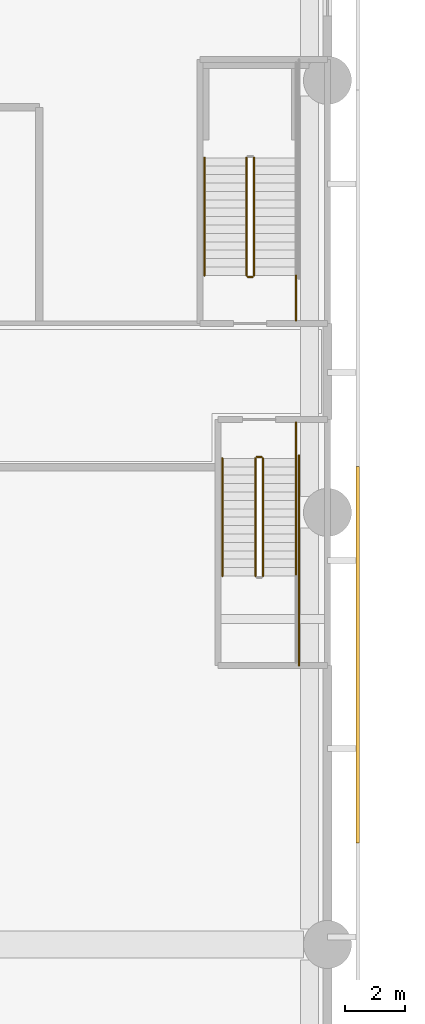
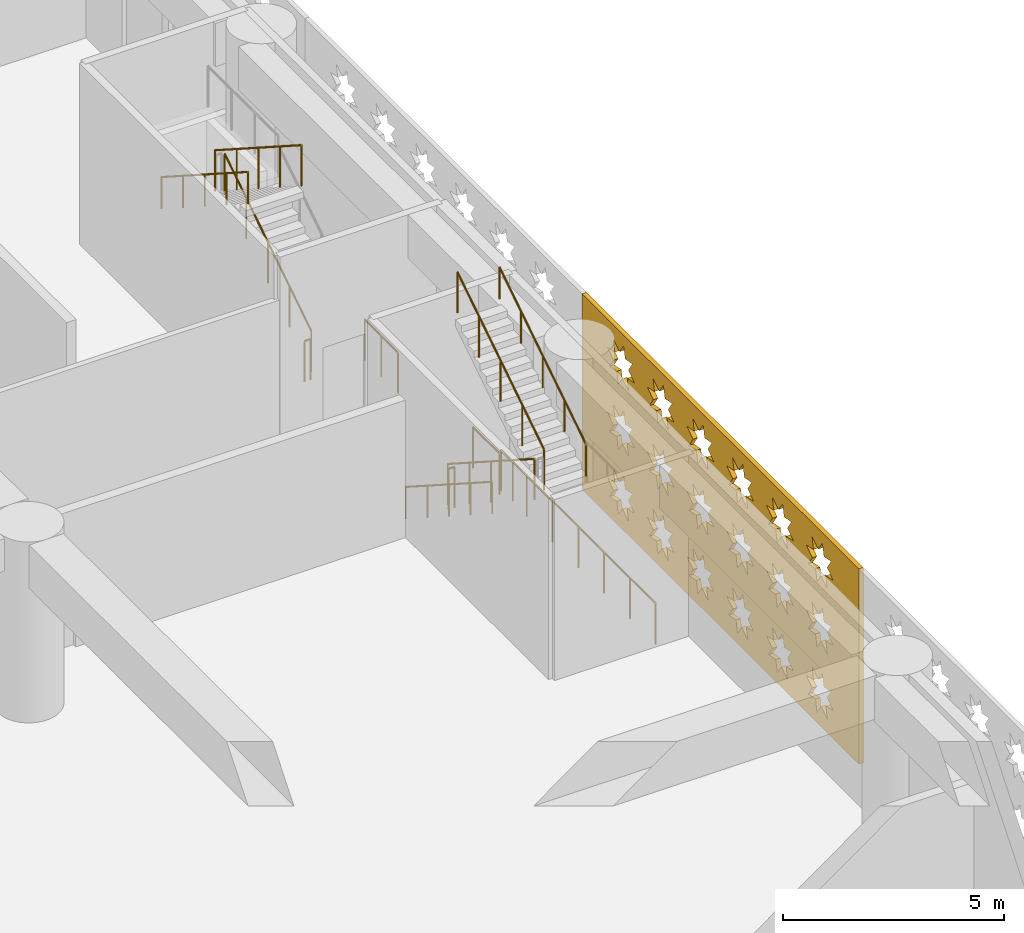
# One storey, part 22 of 30: 12 railings, 1 covering.
"""IFC4 building model written with IfcOpenShell, lengths in metres."""

import ifcopenshell
import ifcopenshell.guid

model = None  # the IFC model being written
_history = None  # IfcOwnerHistory: only IFC2X3 demands one
_inside = {}  # id of a spatial element -> (the spatial element, [elements in it])
_under = {}  # id of a project, library or spatial element -> (it, [spatial elements below it])
_declared = {}  # id of a project -> (the project, [libraries it declares])
_typed = {}  # id of a type object -> (the type object, [elements of that type])
_made_of = {}  # id of a material, layer set ... -> (it, [elements and type objects made of it])


def new_model(schema):
    """Start an empty IFC model of exactly this schema.

    Asked for "IFC4X3", IfcOpenShell would pick the latest addendum, in which some entities
    have other attributes; the version numbers below select the first issue.
    IFC2X3 requires an IfcOwnerHistory on every rooted entity: one is made here for all.
    """
    global model, _history
    if schema == "IFC4X3":
        model = ifcopenshell.file(schema_version=(4, 3, 0, 0))
    else:
        model = ifcopenshell.file(schema=schema)
    _inside.clear()
    _under.clear()
    _declared.clear()
    _typed.clear()
    _made_of.clear()
    _history = None
    if model.schema == "IFC2X3":
        org = make("IfcOrganization", Name="unknown")
        user = make(
            "IfcPersonAndOrganization",
            ThePerson=make("IfcPerson", FamilyName="unknown"),
            TheOrganization=org,
        )
        app = make(
            "IfcApplication",
            ApplicationDeveloper=org,
            Version="unknown",
            ApplicationFullName="unknown",
            ApplicationIdentifier="unknown",
        )
        _history = make(
            "IfcOwnerHistory",
            OwningUser=user,
            OwningApplication=app,
            ChangeAction="ADDED",
            CreationDate=0,
        )
    return model


def make(cls, **values):
    """One entity of the class cls with the attributes given. An attribute that is None is left unset."""
    return model.create_entity(
        cls, **{name: value for name, value in values.items() if value is not None}
    )


def rooted(cls, **values):
    """An entity with a GlobalId (a new one), such as an element, a storey or a relation."""
    return make(cls, GlobalId=ifcopenshell.guid.new(), OwnerHistory=_history, **values)


def si_unit(unit_type, name, prefix=None):
    """IfcSIUnit, for example si_unit("LENGTHUNIT", "METRE", prefix="MILLI")."""
    return make("IfcSIUnit", UnitType=unit_type, Prefix=prefix, Name=name)


def assignment(units):
    """IfcUnitAssignment: the units of a project."""
    return None if units is None else make("IfcUnitAssignment", Units=units)


def point(xyz):
    """IfcCartesianPoint."""
    return None if xyz is None else make("IfcCartesianPoint", Coordinates=xyz)


def direction(xyz):
    """IfcDirection."""
    return None if xyz is None else make("IfcDirection", DirectionRatios=xyz)


def frame(location, z_axis=None, x_axis=None):
    """IfcAxis2Placement3D, a coordinate frame: its origin and axes. An axis left out is left unset."""
    return make(
        "IfcAxis2Placement3D",
        Location=point(location),
        Axis=direction(z_axis),
        RefDirection=direction(x_axis),
    )


def frame_2d(location, x_axis=None):
    """IfcAxis2Placement2D, a coordinate frame in the plane: its origin and x axis."""
    return make(
        "IfcAxis2Placement2D", Location=point(location), RefDirection=direction(x_axis)
    )


def origin():
    """The frame at (0, 0, 0) with its axes left unset."""
    return frame((0.0, 0.0, 0.0))


def origin_2d():
    """The frame at (0, 0) in the plane with its x axis left unset."""
    return frame_2d((0.0, 0.0))


def place(relative_to, where):
    """IfcLocalPlacement: puts the frame where relative to a parent placement (None: the world)."""
    return make(
        "IfcLocalPlacement", PlacementRelTo=relative_to, RelativePlacement=where
    )


def context(
    kind, dimensions, precision=None, world=None, true_north=None, identifier=None
):
    """IfcGeometricRepresentationContext, for example the 3D "Model" context."""
    return make(
        "IfcGeometricRepresentationContext",
        ContextIdentifier=identifier,
        ContextType=kind,
        CoordinateSpaceDimension=dimensions,
        Precision=precision,
        WorldCoordinateSystem=world,
        TrueNorth=true_north,
    )


def subcontext(parent, identifier, kind, view, scale=None):
    """IfcGeometricRepresentationSubContext, for example "Body" below "Model"."""
    return make(
        "IfcGeometricRepresentationSubContext",
        ContextIdentifier=identifier,
        ContextType=kind,
        ParentContext=parent,
        TargetScale=scale,
        TargetView=view,
    )


def project(units=None, contexts=None):
    """IfcProject with its units and contexts."""
    return rooted(
        "IfcProject",
        Name="project",
        RepresentationContexts=contexts,
        UnitsInContext=assignment(units),
    )


def spatial(cls, under=None, at=None, **own):
    """A site, building, storey or space (cls), placed at a placement, below another one or the project."""
    s = rooted(cls, ObjectPlacement=at, **own)
    if under is not None:
        _under.setdefault(under.id(), (under, []))[1].append(s)
    return s


def polyline(points):
    """IfcPolyline through the points."""
    return make("IfcPolyline", Points=[point(p) for p in points])


def profile(cls, at=None, kind="AREA", **sizes):
    """A parametric profile (cls). Its sizes go by their IFC names, for example OverallWidth=200.0."""
    return make(cls, ProfileType=kind, Position=at, **sizes)


def circle(**sizes):
    """IfcCircleProfileDef."""
    return profile("IfcCircleProfileDef", **sizes)


def outline(outer, holes=None, kind="AREA"):
    """IfcArbitraryClosedProfileDef: a profile drawn as a closed curve; with holes, ...WithVoids."""
    if holes is None:
        return make("IfcArbitraryClosedProfileDef", ProfileType=kind, OuterCurve=outer)
    return make(
        "IfcArbitraryProfileDefWithVoids",
        ProfileType=kind,
        OuterCurve=outer,
        InnerCurves=holes,
    )


def extrude(swept, where, along, depth):
    """IfcExtrudedAreaSolid: the profile swept, set in the frame where, extruded along a direction by depth."""
    return make(
        "IfcExtrudedAreaSolid",
        SweptArea=swept,
        Position=where,
        ExtrudedDirection=direction(along),
        Depth=depth,
    )


def shape(context_of_items, identifier, shape_type, items):
    """IfcShapeRepresentation: the items that make up one representation, for example the "Body"."""
    return make(
        "IfcShapeRepresentation",
        ContextOfItems=context_of_items,
        RepresentationIdentifier=identifier,
        RepresentationType=shape_type,
        Items=items,
    )


def material(Name=None, Category=None):
    """IfcMaterial."""
    return make("IfcMaterial", Name=Name, Category=Category)


def layer(
    of_material, thickness, ventilated=None, Name=None, Category=None, Priority=None
):
    """IfcMaterialLayer: one layer of a wall or slab, of a material (None: an air gap)."""
    return make(
        "IfcMaterialLayer",
        Material=of_material,
        LayerThickness=thickness,
        IsVentilated=ventilated,
        Name=Name,
        Category=Category,
        Priority=Priority,
    )


def layer_set(layers, Name=None):
    """IfcMaterialLayerSet."""
    return make("IfcMaterialLayerSet", MaterialLayers=layers, LayerSetName=Name)


def made_of(thing, what):
    """Note that an element or type object is made of a material, layer set ...; save() writes the relation."""
    if what is not None:
        _made_of.setdefault(what.id(), (what, []))[1].append(thing)
    return thing


def type_object(cls, material=None, **own):
    """A type object (cls), such as IfcWallType, which elements share."""
    return made_of(rooted(cls, **own), material)


def element(
    cls,
    number,
    at=None,
    inside=None,
    cuts=None,
    type_object=None,
    material=None,
    context=None,
    identifier="Body",
    shape_type=None,
    held_by="IfcProductDefinitionShape",
    body=None,
    shapes=None,
    **own,
):
    """One element of the class cls, such as IfcWall. Its Tag is "e" and its number.

    at: its placement. inside: the storey or other place that contains it. cuts: it is an
    opening in that element (IfcRelVoidsElement). A single representation is given by context,
    identifier, shape_type and body (its items); several are given by shapes. held_by: the class
    of the entity that holds the representations. save() writes the other relations.
    """
    e = rooted(cls, Tag="e%d" % number, ObjectPlacement=at, **own)
    if body is not None:
        shapes = [shape(context, identifier, shape_type, body)]
    if shapes is not None:
        e.Representation = make(held_by, Representations=shapes)
    if inside is not None:
        _inside.setdefault(inside.id(), (inside, []))[1].append(e)
    if cuts is not None:
        rooted(
            "IfcRelVoidsElement", RelatingBuildingElement=cuts, RelatedOpeningElement=e
        )
    if type_object is not None:
        _typed.setdefault(type_object.id(), (type_object, []))[1].append(e)
    return made_of(e, material)


def aggregate(whole, parts):
    """IfcRelAggregates: a whole, such as a stair, and the parts it consists of."""
    return rooted("IfcRelAggregates", RelatingObject=whole, RelatedObjects=parts)


def save(model, path):
    """Write the relations noted so far, then the file.

    IfcRelAggregates (storeys below a building ...), IfcRelContainedInSpatialStructure (elements
    in a storey), IfcRelDefinesByType, IfcRelAssociatesMaterial and IfcRelDeclares: one each for
    every whole, place, type object, material and project.
    """
    for whole, parts in _under.values():
        aggregate(whole, parts)
    for where, things in _inside.values():
        rooted(
            "IfcRelContainedInSpatialStructure",
            RelatedElements=things,
            RelatingStructure=where,
        )
    for kind, things in _typed.values():
        rooted("IfcRelDefinesByType", RelatedObjects=things, RelatingType=kind)
    for what, things in _made_of.values():
        rooted("IfcRelAssociatesMaterial", RelatedObjects=things, RelatingMaterial=what)
    for by, libraries in _declared.values():
        rooted("IfcRelDeclares", RelatingContext=by, RelatedDefinitions=libraries)
    model.write(path)


model = new_model("IFC4")

# Units and contexts
model_context = context("Model", 3, precision=1e-05, world=origin(), true_north=direction((0.0, 1.0)))
body_context = subcontext(model_context, "Body", "Model", "MODEL_VIEW")
ifc_project = project(units=[si_unit("LENGTHUNIT", "METRE"), si_unit("AREAUNIT", "SQUARE_METRE"), si_unit("VOLUMEUNIT", "CUBIC_METRE"), si_unit("PLANEANGLEUNIT", "RADIAN"), si_unit("MASSUNIT", "GRAM", prefix="KILO")], contexts=[model_context])

# Site, building, storey
site_placement = place(None, origin())
site = spatial("IfcSite", under=ifc_project, at=site_placement, CompositionType="ELEMENT")
building_placement = place(site_placement, origin())
building = spatial("IfcBuilding", under=site, at=building_placement, Name="Saffron Iwan Residences", CompositionType="ELEMENT")
storey_placement = place(building_placement, frame((0.0, 0.0, 7.800048828125)))
storey = spatial("IfcBuildingStorey", under=building, at=storey_placement, Name="L01", CompositionType="ELEMENT", Elevation=7.800048828125)

# Covering
ifc_material_1 = material(Name="Terracotta screen, precast concrete C40/50", Category="masonry")
ifc_layer = layer(ifc_material_1, 0.1201171875)
ifc_layer_set = layer_set([ifc_layer], Name="Terracotta screen, precast concrete C40/50")
covering_type = type_object("IfcCoveringType", Name="PODIUM SCREEN GIRIH", PredefinedType="CLADDING", material=ifc_layer_set)
covering_placement = place(storey_placement, frame((101.75, 36.987060546875, -0.400146484375), z_axis=(1.0, 0.0, 0.0), x_axis=(0.0, 1.0, 0.0)))
element("IfcCovering", 1, at=covering_placement, inside=storey, type_object=covering_type, Name="SCREEN girih terracotta L01 F1.3", PredefinedType="CLADDING", context=body_context, shape_type="SweptSolid", body=[
    extrude(outline(polyline([(0.0, 0.0), (12.545654296875, 0.0), (12.545654296875, 5.39990234375), (0.0, 5.39990234375), (0.0, 0.0)]), holes=[polyline([(2.380859375, 1.02099609375), (2.0556640625, 1.0888671875), (2.1171875, 1.41552734375), (1.839111328125, 1.2333984375), (1.65185546875, 1.508056640625), (1.583984375, 1.1826171875), (1.25732421875, 1.244384765625), (1.439453125, 0.96630859375), (1.164794921875, 0.779052734375), (1.490234375, 0.711181640625), (1.428466796875, 0.384521484375), (1.70654296875, 0.56640625), (1.893798828125, 0.2919921875), (1.9619140625, 0.6171875), (2.288330078125, 0.555419921875), (2.106201171875, 0.833740234375), (2.380859375, 1.02099609375)]), polyline([(2.380859375, 2.821044921875), (2.0556640625, 2.888916015625), (2.1171875, 3.215576171875), (1.839111328125, 3.033447265625), (1.65185546875, 3.30810546875), (1.583984375, 2.982666015625), (1.25732421875, 3.04443359375), (1.439453125, 2.766357421875), (1.164794921875, 2.5791015625), (1.490234375, 2.510986328125), (1.428466796875, 2.1845703125), (1.70654296875, 2.366455078125), (1.893798828125, 2.091796875), (1.9619140625, 2.417236328125), (2.288330078125, 2.35546875), (2.106201171875, 2.6337890625), (2.380859375, 2.821044921875)]), polyline([(2.380859375, 4.62109375), (2.0556640625, 4.68896484375), (2.1171875, 5.015380859375), (1.839111328125, 4.83349609375), (1.65185546875, 5.108154296875), (1.583984375, 4.78271484375), (1.25732421875, 4.844482421875), (1.439453125, 4.56640625), (1.164794921875, 4.37890625), (1.490234375, 4.31103515625), (1.428466796875, 3.984619140625), (1.70654296875, 4.16650390625), (1.893798828125, 3.891845703125), (1.9619140625, 4.21728515625), (2.288330078125, 4.155517578125), (2.106201171875, 4.43359375), (2.380859375, 4.62109375)]), polyline([(4.180908203125, 1.02099609375), (3.855712890625, 1.0888671875), (3.917236328125, 1.41552734375), (3.63916015625, 1.2333984375), (3.451904296875, 1.508056640625), (3.384033203125, 1.1826171875), (3.057373046875, 1.244384765625), (3.239501953125, 0.96630859375), (2.96484375, 0.779052734375), (3.290283203125, 0.711181640625), (3.228515625, 0.384521484375), (3.506591796875, 0.56640625), (3.69384765625, 0.2919921875), (3.76171875, 0.6171875), (4.08837890625, 0.555419921875), (3.90625, 0.833740234375), (4.180908203125, 1.02099609375)]), polyline([(4.180908203125, 2.821044921875), (3.855712890625, 2.888916015625), (3.917236328125, 3.215576171875), (3.63916015625, 3.033447265625), (3.451904296875, 3.30810546875), (3.384033203125, 2.982666015625), (3.057373046875, 3.04443359375), (3.239501953125, 2.766357421875), (2.96484375, 2.5791015625), (3.290283203125, 2.510986328125), (3.228515625, 2.1845703125), (3.506591796875, 2.366455078125), (3.69384765625, 2.091796875), (3.76171875, 2.417236328125), (4.08837890625, 2.35546875), (3.90625, 2.6337890625), (4.180908203125, 2.821044921875)]), polyline([(4.180908203125, 4.62109375), (3.855712890625, 4.68896484375), (3.917236328125, 5.015380859375), (3.63916015625, 4.83349609375), (3.451904296875, 5.108154296875), (3.384033203125, 4.78271484375), (3.057373046875, 4.844482421875), (3.239501953125, 4.56640625), (2.96484375, 4.37890625), (3.290283203125, 4.31103515625), (3.228515625, 3.984619140625), (3.506591796875, 4.16650390625), (3.69384765625, 3.891845703125), (3.76171875, 4.21728515625), (4.08837890625, 4.155517578125), (3.90625, 4.43359375), (4.180908203125, 4.62109375)]), polyline([(5.98095703125, 1.02099609375), (5.655517578125, 1.0888671875), (5.71728515625, 1.41552734375), (5.439208984375, 1.2333984375), (5.251953125, 1.508056640625), (5.18408203125, 1.1826171875), (4.857421875, 1.244384765625), (5.039306640625, 0.96630859375), (4.764892578125, 0.779052734375), (5.090087890625, 0.711181640625), (5.0283203125, 0.384521484375), (5.306396484375, 0.56640625), (5.493896484375, 0.2919921875), (5.561767578125, 0.6171875), (5.888427734375, 0.555419921875), (5.706298828125, 0.833740234375), (5.98095703125, 1.02099609375)]), polyline([(5.98095703125, 2.821044921875), (5.655517578125, 2.888916015625), (5.71728515625, 3.215576171875), (5.439208984375, 3.033447265625), (5.251953125, 3.30810546875), (5.18408203125, 2.982666015625), (4.857421875, 3.04443359375), (5.039306640625, 2.766357421875), (4.764892578125, 2.5791015625), (5.090087890625, 2.510986328125), (5.0283203125, 2.1845703125), (5.306396484375, 2.366455078125), (5.493896484375, 2.091796875), (5.561767578125, 2.417236328125), (5.888427734375, 2.35546875), (5.706298828125, 2.6337890625), (5.98095703125, 2.821044921875)]), polyline([(5.98095703125, 4.62109375), (5.655517578125, 4.68896484375), (5.71728515625, 5.015380859375), (5.439208984375, 4.83349609375), (5.251953125, 5.108154296875), (5.18408203125, 4.78271484375), (4.857421875, 4.844482421875), (5.039306640625, 4.56640625), (4.764892578125, 4.37890625), (5.090087890625, 4.31103515625), (5.0283203125, 3.984619140625), (5.306396484375, 4.16650390625), (5.493896484375, 3.891845703125), (5.561767578125, 4.21728515625), (5.888427734375, 4.155517578125), (5.706298828125, 4.43359375), (5.98095703125, 4.62109375)]), polyline([(7.781005859375, 1.02099609375), (7.45556640625, 1.0888671875), (7.517333984375, 1.41552734375), (7.2392578125, 1.2333984375), (7.052001953125, 1.508056640625), (6.98388671875, 1.1826171875), (6.6572265625, 1.244384765625), (6.83935546875, 0.96630859375), (6.564697265625, 0.779052734375), (6.89013671875, 0.711181640625), (6.828369140625, 0.384521484375), (7.1064453125, 0.56640625), (7.293701171875, 0.2919921875), (7.36181640625, 0.6171875), (7.6884765625, 0.555419921875), (7.50634765625, 0.833740234375), (7.781005859375, 1.02099609375)]), polyline([(7.781005859375, 2.821044921875), (7.45556640625, 2.888916015625), (7.517333984375, 3.215576171875), (7.2392578125, 3.033447265625), (7.052001953125, 3.30810546875), (6.98388671875, 2.982666015625), (6.6572265625, 3.04443359375), (6.83935546875, 2.766357421875), (6.564697265625, 2.5791015625), (6.89013671875, 2.510986328125), (6.828369140625, 2.1845703125), (7.1064453125, 2.366455078125), (7.293701171875, 2.091796875), (7.36181640625, 2.417236328125), (7.6884765625, 2.35546875), (7.50634765625, 2.6337890625), (7.781005859375, 2.821044921875)]), polyline([(7.781005859375, 4.62109375), (7.45556640625, 4.68896484375), (7.517333984375, 5.015380859375), (7.2392578125, 4.83349609375), (7.052001953125, 5.108154296875), (6.98388671875, 4.78271484375), (6.6572265625, 4.844482421875), (6.83935546875, 4.56640625), (6.564697265625, 4.37890625), (6.89013671875, 4.31103515625), (6.828369140625, 3.984619140625), (7.1064453125, 4.16650390625), (7.293701171875, 3.891845703125), (7.36181640625, 4.21728515625), (7.6884765625, 4.155517578125), (7.50634765625, 4.43359375), (7.781005859375, 4.62109375)]), polyline([(9.580810546875, 1.02099609375), (9.255615234375, 1.0888671875), (9.3173828125, 1.41552734375), (9.039306640625, 1.2333984375), (8.851806640625, 1.508056640625), (8.783935546875, 1.1826171875), (8.457275390625, 1.244384765625), (8.639404296875, 0.96630859375), (8.36474609375, 0.779052734375), (8.690185546875, 0.711181640625), (8.62841796875, 0.384521484375), (8.906494140625, 0.56640625), (9.09375, 0.2919921875), (9.161865234375, 0.6171875), (9.48828125, 0.555419921875), (9.306396484375, 0.833740234375), (9.580810546875, 1.02099609375)]), polyline([(9.580810546875, 2.821044921875), (9.255615234375, 2.888916015625), (9.3173828125, 3.215576171875), (9.039306640625, 3.033447265625), (8.851806640625, 3.30810546875), (8.783935546875, 2.982666015625), (8.457275390625, 3.04443359375), (8.639404296875, 2.766357421875), (8.36474609375, 2.5791015625), (8.690185546875, 2.510986328125), (8.62841796875, 2.1845703125), (8.906494140625, 2.366455078125), (9.09375, 2.091796875), (9.161865234375, 2.417236328125), (9.48828125, 2.35546875), (9.306396484375, 2.6337890625), (9.580810546875, 2.821044921875)]), polyline([(9.580810546875, 4.62109375), (9.255615234375, 4.68896484375), (9.3173828125, 5.015380859375), (9.039306640625, 4.83349609375), (8.851806640625, 5.108154296875), (8.783935546875, 4.78271484375), (8.457275390625, 4.844482421875), (8.639404296875, 4.56640625), (8.36474609375, 4.37890625), (8.690185546875, 4.31103515625), (8.62841796875, 3.984619140625), (8.906494140625, 4.16650390625), (9.09375, 3.891845703125), (9.161865234375, 4.21728515625), (9.48828125, 4.155517578125), (9.306396484375, 4.43359375), (9.580810546875, 4.62109375)]), polyline([(11.380859375, 1.02099609375), (11.0556640625, 1.0888671875), (11.1171875, 1.41552734375), (10.839111328125, 1.2333984375), (10.65185546875, 1.508056640625), (10.583984375, 1.1826171875), (10.25732421875, 1.244384765625), (10.439453125, 0.96630859375), (10.164794921875, 0.779052734375), (10.490234375, 0.711181640625), (10.428466796875, 0.384521484375), (10.70654296875, 0.56640625), (10.893798828125, 0.2919921875), (10.9619140625, 0.6171875), (11.288330078125, 0.555419921875), (11.106201171875, 0.833740234375), (11.380859375, 1.02099609375)]), polyline([(11.380859375, 2.821044921875), (11.0556640625, 2.888916015625), (11.1171875, 3.215576171875), (10.839111328125, 3.033447265625), (10.65185546875, 3.30810546875), (10.583984375, 2.982666015625), (10.25732421875, 3.04443359375), (10.439453125, 2.766357421875), (10.164794921875, 2.5791015625), (10.490234375, 2.510986328125), (10.428466796875, 2.1845703125), (10.70654296875, 2.366455078125), (10.893798828125, 2.091796875), (10.9619140625, 2.417236328125), (11.288330078125, 2.35546875), (11.106201171875, 2.6337890625), (11.380859375, 2.821044921875)]), polyline([(11.380859375, 4.62109375), (11.0556640625, 4.68896484375), (11.1171875, 5.015380859375), (10.839111328125, 4.83349609375), (10.65185546875, 5.108154296875), (10.583984375, 4.78271484375), (10.25732421875, 4.844482421875), (10.439453125, 4.56640625), (10.164794921875, 4.37890625), (10.490234375, 4.31103515625), (10.428466796875, 3.984619140625), (10.70654296875, 4.16650390625), (10.893798828125, 3.891845703125), (10.9619140625, 4.21728515625), (11.288330078125, 4.155517578125), (11.106201171875, 4.43359375), (11.380859375, 4.62109375)])]), origin(), (0.0, 0.0, 1.0), 0.1201171875),
])

# Railings
ifc_material_2 = material(Name="Steel S355", Category="steel")
railing_type_1 = type_object("IfcRailingType", Name="Podium stair guard 1150", PredefinedType="GUARDRAIL", material=ifc_material_2)
railing_1_placement = place(storey_placement, frame((98.39990234375, 49.800048828125, 0.179931640625)))
element("IfcRailing", 2, at=railing_1_placement, inside=storey, type_object=railing_type_1, Name="L01 PS2 stair guard 1", PredefinedType="GUARDRAIL", context=body_context, shape_type="SweptSolid", body=[
    extrude(circle(Radius=0.02392578125, at=origin_2d()), frame((0.0, 0.0, 1.1259765625), z_axis=(0.0, -0.841186985886, 0.540744352514), x_axis=(1.0, 0.0, 0.0)), (0.0, 0.0, 1.0), 4.660400390625),
    extrude(circle(Radius=0.02099609375, at=origin_2d()), origin(), (0.0, 0.0, 1.0), 1.101806640625),
    extrude(circle(Radius=0.02099609375, at=origin_2d()), frame((0.0, -0.97998046875, 0.6298828125)), (0.0, 0.0, 1.0), 1.101806640625),
    extrude(circle(Radius=0.02099609375, at=origin_2d()), frame((0.0, -1.9599609375, 1.260009765625)), (0.0, 0.0, 1.0), 1.101806640625),
    extrude(circle(Radius=0.02099609375, at=origin_2d()), frame((0.0, -2.940185546875, 1.89013671875)), (0.0, 0.0, 1.0), 1.101806640625),
    extrude(circle(Radius=0.02099609375, at=origin_2d()), frame((0.0, -3.920166015625, 2.52001953125)), (0.0, 0.0, 1.0), 1.101806640625),
])
railing_2_placement = place(storey_placement, frame((98.64990234375, 45.8798828125, 2.8798828125)))
element("IfcRailing", 3, at=railing_2_placement, inside=storey, type_object=railing_type_1, Name="L01 PS2 stair guard 4", PredefinedType="GUARDRAIL", context=body_context, shape_type="SweptSolid", body=[
    extrude(circle(Radius=0.02392578125, at=origin_2d()), frame((0.0, 0.0, 1.1259765625), z_axis=(0.0, 0.841186985886, 0.540744352514), x_axis=(-1.0, 0.0, 0.0)), (0.0, 0.0, 1.0), 4.660400390625),
    extrude(circle(Radius=0.02099609375, at=origin_2d()), origin(), (0.0, 0.0, 1.0), 1.101806640625),
    extrude(circle(Radius=0.02099609375, at=origin_2d()), frame((0.0, 0.97998046875, 0.6298828125)), (0.0, 0.0, 1.0), 1.101806640625),
    extrude(circle(Radius=0.02099609375, at=origin_2d()), frame((0.0, 1.9599609375, 1.260009765625)), (0.0, 0.0, 1.0), 1.101806640625),
    extrude(circle(Radius=0.02099609375, at=origin_2d()), frame((0.0, 2.940185546875, 1.89013671875)), (0.0, 0.0, 1.0), 1.101806640625),
    extrude(circle(Radius=0.02099609375, at=origin_2d()), frame((0.0, 3.920166015625, 2.52001953125)), (0.0, 0.0, 1.0), 1.101806640625),
])
railing_3_placement = place(storey_placement, frame((98.449951171875, 49.85009765625, 0.0)))
element("IfcRailing", 4, at=railing_3_placement, inside=storey, type_object=railing_type_1, Name="L01 PS2 stair guard 5", PredefinedType="GUARDRAIL", context=body_context, shape_type="SweptSolid", body=[
    extrude(circle(Radius=0.02392578125, at=origin_2d()), frame((0.0, 0.0, 1.1259765625), z_axis=(1.0, 0.0, 0.0), x_axis=(0.0, 1.0, 0.0)), (0.0, 0.0, 1.0), 0.150146484375),
    extrude(circle(Radius=0.02099609375, at=origin_2d()), origin(), (0.0, 0.0, 1.0), 1.101806640625),
    extrude(circle(Radius=0.02099609375, at=origin_2d()), frame((0.150146484375, 0.0, 0.0)), (0.0, 0.0, 1.0), 1.101806640625),
])
railing_4_placement = place(storey_placement, frame((99.75, 51.0, 0.0)))
element("IfcRailing", 5, at=railing_4_placement, inside=storey, type_object=railing_type_1, Name="L01 PS2 stair guard 6", PredefinedType="GUARDRAIL", context=body_context, shape_type="SweptSolid", body=[
    extrude(circle(Radius=0.02392578125, at=origin_2d()), frame((0.0, 0.0, 1.1259765625), z_axis=(0.0, -1.0, 0.0), x_axis=(1.0, 0.0, 0.0)), (0.0, 0.0, 1.0), 1.199951171875),
    extrude(circle(Radius=0.02099609375, at=origin_2d()), origin(), (0.0, 0.0, 1.0), 1.101806640625),
    extrude(circle(Radius=0.02099609375, at=origin_2d()), frame((0.0, -1.199951171875, 0.0)), (0.0, 0.0, 1.0), 1.101806640625),
])
railing_5_placement = place(storey_placement, frame((99.85009765625, 49.89990234375, 0.0)))
element("IfcRailing", 6, at=railing_5_placement, inside=storey, type_object=railing_type_1, Name="L01 PS2 stair guard 7", PredefinedType="GUARDRAIL", context=body_context, shape_type="SweptSolid", body=[
    extrude(circle(Radius=0.02392578125, at=origin_2d()), frame((0.0, 0.0, 1.1259765625), z_axis=(0.0, -1.0, 0.0), x_axis=(1.0, 0.0, 0.0)), (0.0, 0.0, 1.0), 7.0),
    extrude(circle(Radius=0.02099609375, at=origin_2d()), origin(), (0.0, 0.0, 1.0), 1.101806640625),
    extrude(circle(Radius=0.02099609375, at=origin_2d()), frame((0.0, -1.166748046875, 0.0)), (0.0, 0.0, 1.0), 1.101806640625),
    extrude(circle(Radius=0.02099609375, at=origin_2d()), frame((0.0, -2.333251953125, 0.0)), (0.0, 0.0, 1.0), 1.101806640625),
    extrude(circle(Radius=0.02099609375, at=origin_2d()), frame((0.0, -3.5, 0.0)), (0.0, 0.0, 1.0), 1.101806640625),
    extrude(circle(Radius=0.02099609375, at=origin_2d()), frame((0.0, -4.666748046875, 0.0)), (0.0, 0.0, 1.0), 1.101806640625),
    extrude(circle(Radius=0.02099609375, at=origin_2d()), frame((0.0, -5.833251953125, 0.0)), (0.0, 0.0, 1.0), 1.101806640625),
    extrude(circle(Radius=0.02099609375, at=origin_2d()), frame((0.0, -7.0, 0.0)), (0.0, 0.0, 1.0), 1.101806640625),
])
railing_6_placement = place(storey_placement, frame((98.35009765625, 55.89990234375, 0.179931640625)))
element("IfcRailing", 7, at=railing_6_placement, inside=storey, type_object=railing_type_1, Name="L01 PS4 stair guard 1", PredefinedType="GUARDRAIL", context=body_context, shape_type="SweptSolid", body=[
    extrude(circle(Radius=0.02392578125, at=origin_2d()), frame((0.0, 0.0, 1.1259765625), z_axis=(0.0, 0.841186985886, 0.540744352514), x_axis=(-1.0, 0.0, 0.0)), (0.0, 0.0, 1.0), 4.660400390625),
    extrude(circle(Radius=0.02099609375, at=origin_2d()), origin(), (0.0, 0.0, 1.0), 1.101806640625),
    extrude(circle(Radius=0.02099609375, at=origin_2d()), frame((0.0, 0.97998046875, 0.6298828125)), (0.0, 0.0, 1.0), 1.101806640625),
    extrude(circle(Radius=0.02099609375, at=origin_2d()), frame((0.0, 1.9599609375, 1.260009765625)), (0.0, 0.0, 1.0), 1.101806640625),
    extrude(circle(Radius=0.02099609375, at=origin_2d()), frame((0.0, 2.940185546875, 1.89013671875)), (0.0, 0.0, 1.0), 1.101806640625),
    extrude(circle(Radius=0.02099609375, at=origin_2d()), frame((0.0, 3.920166015625, 2.52001953125)), (0.0, 0.0, 1.0), 1.101806640625),
])
railing_7_placement = place(storey_placement, frame((98.10009765625, 59.820068359375, 2.8798828125)))
element("IfcRailing", 8, at=railing_7_placement, inside=storey, type_object=railing_type_1, Name="L01 PS4 stair guard 4", PredefinedType="GUARDRAIL", context=body_context, shape_type="SweptSolid", body=[
    extrude(circle(Radius=0.02392578125, at=origin_2d()), frame((0.0, 0.0, 1.1259765625), z_axis=(0.0, -0.841186985886, 0.540744352514), x_axis=(1.0, 0.0, 0.0)), (0.0, 0.0, 1.0), 4.660400390625),
    extrude(circle(Radius=0.02099609375, at=origin_2d()), origin(), (0.0, 0.0, 1.0), 1.101806640625),
    extrude(circle(Radius=0.02099609375, at=origin_2d()), frame((0.0, -0.97998046875, 0.6298828125)), (0.0, 0.0, 1.0), 1.101806640625),
    extrude(circle(Radius=0.02099609375, at=origin_2d()), frame((0.0, -1.9599609375, 1.260009765625)), (0.0, 0.0, 1.0), 1.101806640625),
    extrude(circle(Radius=0.02099609375, at=origin_2d()), frame((0.0, -2.940185546875, 1.89013671875)), (0.0, 0.0, 1.0), 1.101806640625),
    extrude(circle(Radius=0.02099609375, at=origin_2d()), frame((0.0, -3.920166015625, 2.52001953125)), (0.0, 0.0, 1.0), 1.101806640625),
])
railing_8_placement = place(storey_placement, frame((98.300048828125, 55.85009765625, 0.0)))
element("IfcRailing", 9, at=railing_8_placement, inside=storey, type_object=railing_type_1, Name="L01 PS4 stair guard 5", PredefinedType="GUARDRAIL", context=body_context, shape_type="SweptSolid", body=[
    extrude(circle(Radius=0.02392578125, at=origin_2d()), frame((0.0, 0.0, 1.1259765625), z_axis=(-1.0, 0.0, 0.0), x_axis=(0.0, -1.0, 0.0)), (0.0, 0.0, 1.0), 0.150146484375),
    extrude(circle(Radius=0.02099609375, at=origin_2d()), origin(), (0.0, 0.0, 1.0), 1.101806640625),
    extrude(circle(Radius=0.02099609375, at=origin_2d()), frame((-0.150146484375, 0.0, 0.0)), (0.0, 0.0, 1.0), 1.101806640625),
])
railing_9_placement = place(storey_placement, frame((99.75, 54.39990234375, 0.0)))
element("IfcRailing", 10, at=railing_9_placement, inside=storey, type_object=railing_type_1, Name="L01 PS4 stair guard 6", PredefinedType="GUARDRAIL", context=body_context, shape_type="SweptSolid", body=[
    extrude(circle(Radius=0.02392578125, at=origin_2d()), frame((0.0, 0.0, 1.1259765625), z_axis=(0.0, 1.0, 0.0), x_axis=(-1.0, 0.0, 0.0)), (0.0, 0.0, 1.0), 1.5),
    extrude(circle(Radius=0.02099609375, at=origin_2d()), origin(), (0.0, 0.0, 1.0), 1.101806640625),
    extrude(circle(Radius=0.02099609375, at=origin_2d()), frame((0.0, 0.75, 0.0)), (0.0, 0.0, 1.0), 1.101806640625),
    extrude(circle(Radius=0.02099609375, at=origin_2d()), frame((0.0, 1.5, 0.0)), (0.0, 0.0, 1.0), 1.101806640625),
])
railing_type_2 = type_object("IfcRailingType", Name="Podium stair handrail 900", PredefinedType="HANDRAIL", material=ifc_material_2)
railing_10_placement = place(storey_placement, frame((97.300048828125, 49.800048828125, 0.179931640625)))
element("IfcRailing", 11, at=railing_10_placement, inside=storey, type_object=railing_type_2, Name="L01 PS2 stair handrail 1", PredefinedType="HANDRAIL", context=body_context, shape_type="SweptSolid", body=[
    extrude(circle(Radius=0.02392578125, at=origin_2d()), frame((0.0, 0.0, 0.8759765625), z_axis=(0.0, -0.841186985886, 0.540744352514), x_axis=(1.0, 0.0, 0.0)), (0.0, 0.0, 1.0), 4.660400390625),
    extrude(circle(Radius=0.02099609375, at=origin_2d()), origin(), (0.0, 0.0, 1.0), 0.851806640625),
    extrude(circle(Radius=0.02099609375, at=origin_2d()), frame((0.0, -0.97998046875, 0.6298828125)), (0.0, 0.0, 1.0), 0.851806640625),
    extrude(circle(Radius=0.02099609375, at=origin_2d()), frame((0.0, -1.9599609375, 1.260009765625)), (0.0, 0.0, 1.0), 0.851806640625),
    extrude(circle(Radius=0.02099609375, at=origin_2d()), frame((0.0, -2.940185546875, 1.89013671875)), (0.0, 0.0, 1.0), 0.851806640625),
    extrude(circle(Radius=0.02099609375, at=origin_2d()), frame((0.0, -3.920166015625, 2.52001953125)), (0.0, 0.0, 1.0), 0.851806640625),
])
railing_11_placement = place(storey_placement, frame((99.75, 45.8798828125, 2.8798828125)))
element("IfcRailing", 12, at=railing_11_placement, inside=storey, type_object=railing_type_2, Name="L01 PS2 stair handrail 2", PredefinedType="HANDRAIL", context=body_context, shape_type="SweptSolid", body=[
    extrude(circle(Radius=0.02392578125, at=origin_2d()), frame((0.0, 0.0, 0.8759765625), z_axis=(0.0, 0.841186985886, 0.540744352514), x_axis=(-1.0, 0.0, 0.0)), (0.0, 0.0, 1.0), 4.660400390625),
    extrude(circle(Radius=0.02099609375, at=origin_2d()), origin(), (0.0, 0.0, 1.0), 0.851806640625),
    extrude(circle(Radius=0.02099609375, at=origin_2d()), frame((0.0, 0.97998046875, 0.6298828125)), (0.0, 0.0, 1.0), 0.851806640625),
    extrude(circle(Radius=0.02099609375, at=origin_2d()), frame((0.0, 1.9599609375, 1.260009765625)), (0.0, 0.0, 1.0), 0.851806640625),
    extrude(circle(Radius=0.02099609375, at=origin_2d()), frame((0.0, 2.940185546875, 1.89013671875)), (0.0, 0.0, 1.0), 0.851806640625),
    extrude(circle(Radius=0.02099609375, at=origin_2d()), frame((0.0, 3.920166015625, 2.52001953125)), (0.0, 0.0, 1.0), 0.851806640625),
])
railing_12_placement = place(storey_placement, frame((96.699951171875, 59.820068359375, 2.8798828125)))
element("IfcRailing", 13, at=railing_12_placement, inside=storey, type_object=railing_type_2, Name="L01 PS4 stair handrail 2", PredefinedType="HANDRAIL", context=body_context, shape_type="SweptSolid", body=[
    extrude(circle(Radius=0.02392578125, at=origin_2d()), frame((0.0, 0.0, 0.8759765625), z_axis=(0.0, -0.841186985886, 0.540744352514), x_axis=(1.0, 0.0, 0.0)), (0.0, 0.0, 1.0), 4.660400390625),
    extrude(circle(Radius=0.02099609375, at=origin_2d()), origin(), (0.0, 0.0, 1.0), 0.851806640625),
    extrude(circle(Radius=0.02099609375, at=origin_2d()), frame((0.0, -0.97998046875, 0.6298828125)), (0.0, 0.0, 1.0), 0.851806640625),
    extrude(circle(Radius=0.02099609375, at=origin_2d()), frame((0.0, -1.9599609375, 1.260009765625)), (0.0, 0.0, 1.0), 0.851806640625),
    extrude(circle(Radius=0.02099609375, at=origin_2d()), frame((0.0, -2.940185546875, 1.89013671875)), (0.0, 0.0, 1.0), 0.851806640625),
    extrude(circle(Radius=0.02099609375, at=origin_2d()), frame((0.0, -3.920166015625, 2.52001953125)), (0.0, 0.0, 1.0), 0.851806640625),
])

save(model, "model.ifc")
